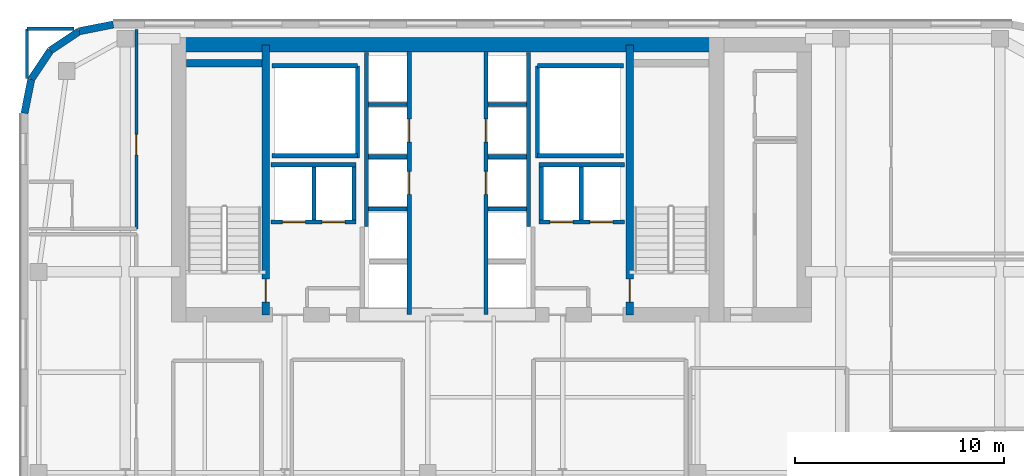
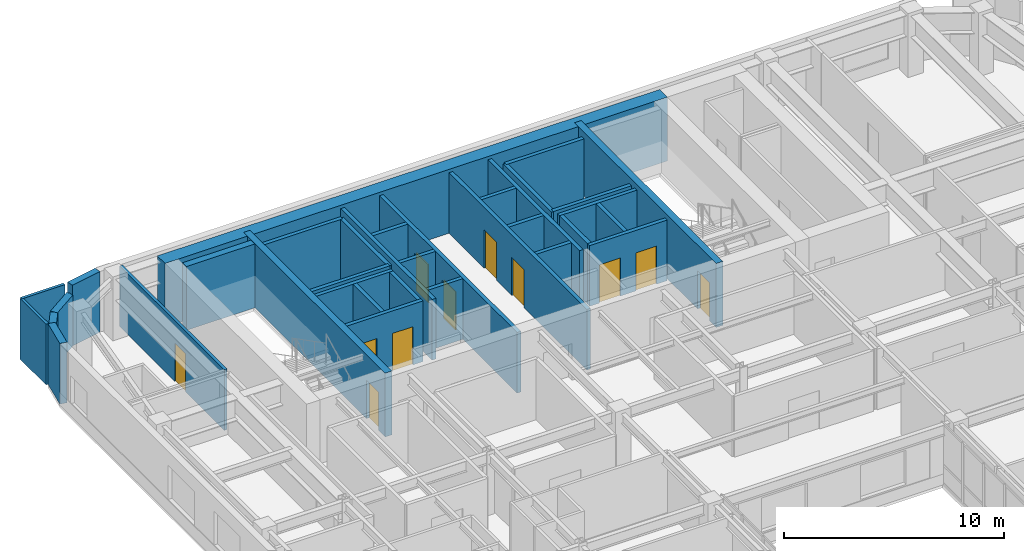
# One storey, part 13 of 20: 35 walls, 11 doors, 11 openings.
"""IFC4 building model written with IfcOpenShell, lengths in metres."""

from ifc_helpers import new_model, si_unit, direction, frame, frame_2d, origin, place, context, subcontext, project, spatial, rectangle, extrude, source, transform, mapped, material, layer, layer_set, type_object, type_shapes, element, fill, save


model = new_model("IFC4")

# Units and contexts
model_context = context("Model", 3, precision=1e-05, world=origin(), true_north=direction((0.0, 1.0)))
body_context = subcontext(model_context, "Body", "Model", "MODEL_VIEW")
ifc_project = project(units=[si_unit("LENGTHUNIT", "METRE"), si_unit("AREAUNIT", "SQUARE_METRE"), si_unit("VOLUMEUNIT", "CUBIC_METRE"), si_unit("PLANEANGLEUNIT", "RADIAN"), si_unit("MASSUNIT", "GRAM", prefix="KILO")], contexts=[model_context])

# Site, building, storey
site_placement = place(None, origin())
site = spatial("IfcSite", under=ifc_project, at=site_placement, CompositionType="ELEMENT")
building_placement = place(site_placement, origin())
building = spatial("IfcBuilding", under=site, at=building_placement, Name="Tolvann Quenvar Hotel", CompositionType="ELEMENT")
storey_placement = place(building_placement, frame((0.0, 0.0, 191.10009765625)))
storey = spatial("IfcBuildingStorey", under=building, at=storey_placement, Name="L50", CompositionType="ELEMENT", Elevation=191.10009765625)

# Wall
ifc_material_1 = material(Name="Concrete S65 (65 MPa)", Category="concrete")
ifc_layer_1 = layer(ifc_material_1, 0.699951171875)
ifc_layer_set_1 = layer_set([ifc_layer_1], Name="Concrete S65 (65 MPa)")
wall_type_1 = type_object("IfcWallType", Name="WALL_CORE_700", PredefinedType="SHEAR", material=ifc_layer_set_1)
wall_1_placement = place(storey_placement, frame((9.800048828125, 44.85009765625, 0.0), z_axis=(0.0, 0.0, 1.0), x_axis=(1.0, 0.0, 0.0)))
element("IfcWall", 1, at=wall_1_placement, inside=storey, type_object=wall_type_1, Name="Rear Core N Shear Wall (L50)", PredefinedType="SHEAR", context=body_context, shape_type="SweptSolid", body=[
    extrude(rectangle(XDim=26.39990234375, YDim=0.699951171875, at=frame_2d((13.199951171875, 0.0))), origin(), (0.0, 0.0, 1.0), 3.5498046875),
])

# Wall, opening, door
ifc_layer_2 = layer(ifc_material_1, 0.35009765625)
ifc_layer_set_2 = layer_set([ifc_layer_2], Name="Concrete S65 (65 MPa)")
wall_type_2 = type_object("IfcWallType", Name="WALL_CORE_INT_350", PredefinedType="SHEAR", material=ifc_layer_set_2)
wall_2_placement = place(storey_placement, frame((14.300048828125, 31.949951171875, 0.0), z_axis=(0.0, 0.0, 1.0), x_axis=(0.0, 1.0, 0.0)))
wall_2 = element("IfcWall", 2, at=wall_2_placement, inside=storey, type_object=wall_type_2, Name="Core Internal Web Shear Wall WEB-W (L50)", PredefinedType="SHEAR", context=body_context, shape_type="SweptSolid", body=[
    extrude(rectangle(XDim=12.900146484375, YDim=0.35009765625, at=frame_2d((6.4501953125, 0.0))), origin(), (0.0, 0.0, 1.0), 3.5498046875),
])
opening_1_placement = place(wall_2_placement, frame((0.60009765625, 0.0, 0.0)))
opening_1 = element("IfcOpeningElement", 3, at=opening_1_placement, cuts=wall_2, Name="Opening FD-120", PredefinedType="OPENING", context=body_context, shape_type="SweptSolid", body=[
    extrude(rectangle(XDim=1.10009765625, YDim=2.1201171875, at=frame_2d((0.550048828125, 1.06005859375))), frame((0.0, 0.18505859375, 0.0), z_axis=(0.0, -1.0, 0.0), x_axis=(1.0, 0.0, 0.0)), (0.0, 0.0, 1.0), 0.3701171875),
])
ifc_material_2 = material(Name="Pressed galvanised steel fire-rated door set", Category="steel")
door_type_1 = type_object("IfcDoorType", Name="DOOR_FIRE_STAIR_1100", OperationType="NOTDEFINED", PredefinedType="DOOR", material=ifc_material_2)
shared_shape_1 = source(origin(), body_context, "Body", "SweptSolid", [
    extrude(rectangle(XDim=1.10009765625, YDim=2.1201171875, at=frame_2d((0.550048828125, 1.06005859375))), frame((0.0, 0.02490234375, 0.0), z_axis=(0.0, -1.0, 0.0), x_axis=(1.0, 0.0, 0.0)), (0.0, 0.0, 1.0), 0.050048828125),
])
type_shapes(door_type_1, [shared_shape_1])
door_1_placement = place(opening_1_placement, origin())
door_1 = element("IfcDoor", 4, at=door_1_placement, inside=storey, type_object=door_type_1, Name="Exit Stair ST-C1 Fire Door (L50)", OperationType="SINGLE_SWING_RIGHT", OverallHeight=2.1201171875, OverallWidth=1.10009765625, PredefinedType="DOOR", context=body_context, shape_type="MappedRepresentation", body=[
    mapped(shared_shape_1, transform((0.0, 0.0, 0.0), x_axis=(1.0, 0.0, 0.0), y_axis=(0.0, 1.0, 0.0), z_axis=(0.0, 0.0, 1.0), scale=1.0)),
])
fill(opening_1, door_1)

wall_3_placement = place(storey_placement, frame((31.699951171875, 31.949951171875, 0.0), z_axis=(0.0, 0.0, 1.0), x_axis=(0.0, 1.0, 0.0)))
wall_3 = element("IfcWall", 5, at=wall_3_placement, inside=storey, type_object=wall_type_2, Name="Core Internal Web Shear Wall WEB-E (L50)", PredefinedType="SHEAR", context=body_context, shape_type="SweptSolid", body=[
    extrude(rectangle(XDim=12.900146484375, YDim=0.35009765625, at=frame_2d((6.4501953125, 0.0))), origin(), (0.0, 0.0, 1.0), 3.5498046875),
])
opening_2_placement = place(wall_3_placement, frame((1.7001953125, 0.0, 0.0), z_axis=(0.0, 0.0, 1.0), x_axis=(-1.0, 0.0, 0.0)))
opening_2 = element("IfcOpeningElement", 6, at=opening_2_placement, cuts=wall_3, Name="Opening FD-120", PredefinedType="OPENING", context=body_context, shape_type="SweptSolid", body=[
    extrude(rectangle(XDim=1.10009765625, YDim=2.1201171875, at=frame_2d((0.550048828125, 1.06005859375))), frame((0.0, 0.18505859375, 0.0), z_axis=(0.0, -1.0, 0.0), x_axis=(1.0, 0.0, 0.0)), (0.0, 0.0, 1.0), 0.3701171875),
])
door_2_placement = place(opening_2_placement, origin())
door_2 = element("IfcDoor", 7, at=door_2_placement, inside=storey, type_object=door_type_1, Name="Exit Stair ST-C2 Fire Door (L50)", OperationType="SINGLE_SWING_LEFT", OverallHeight=2.1201171875, OverallWidth=1.10009765625, PredefinedType="DOOR", context=body_context, shape_type="MappedRepresentation", body=[
    mapped(shared_shape_1, transform((0.0, 0.0, 0.0), x_axis=(1.0, 0.0, 0.0), y_axis=(0.0, 1.0, 0.0), z_axis=(0.0, 0.0, 1.0), scale=1.0)),
])
fill(opening_2, door_2)

# Walls
wall_4_placement = place(storey_placement, frame((10.52001953125, 43.97509765625, 0.0), z_axis=(0.0, 0.0, 1.0), x_axis=(1.0, 0.0, 0.0)))
element("IfcWall", 8, at=wall_4_placement, inside=storey, type_object=wall_type_2, Name="Core Stair North Closing Shear Wall STC1-N (L50)", PredefinedType="SHEAR", context=body_context, shape_type="SweptSolid", body=[
    extrude(rectangle(XDim=3.60009765625, YDim=0.35009765625, at=frame_2d((1.800048828125, 0.0))), origin(), (0.0, 0.0, 1.0), 3.5498046875),
])
ifc_material_3 = material(Name="Kiln-fired red and buff architectural clay brickwork and terracotta masonry", Category="masonry")
ifc_layer_3 = layer(ifc_material_3, 0.35009765625)
ifc_layer_set_3 = layer_set([ifc_layer_3], Name="Kiln-fired red and buff architectural clay brickwork and terracotta masonry")
wall_type_3 = type_object("IfcWallType", Name="WALL_EXT_BRICK_350", PredefinedType="SOLIDWALL", material=ifc_layer_set_3)
wall_5_placement = place(storey_placement, frame((7.01708984375, 45.824951171875, 0.0), z_axis=(0.0, 0.0, 1.0), x_axis=(-0.980788844421, -0.195072403631, 0.0)))
element("IfcWall", 9, at=wall_5_placement, inside=storey, type_object=wall_type_3, Name="Exterior Chicago Brick Wall L50-E19", PredefinedType="SOLIDWALL", context=body_context, shape_type="SweptSolid", body=[
    extrude(rectangle(XDim=1.66455078125, YDim=0.35009765625, at=frame_2d((0.832275390625, 0.0))), origin(), (0.0, 0.0, 1.0), 3.369873046875),
])
for number, where, z_axis, x_axis, name in (
    (10, (5.384521484375, 45.500244140625, 0.0), (0.0, 0.0, 1.0), (-0.831502623162, -0.555520825599, 0.0), "Exterior Chicago Brick Wall L50-E20"),
    (11, (4.014892578125, 44.585205078125, 0.0), (0.0, 0.0, 1.0), (-0.555623290322, -0.831434158098, 0.0), "Exterior Chicago Brick Wall L50-E21"),
):
    element("IfcWall", number, at=place(storey_placement, frame(where, z_axis=z_axis, x_axis=x_axis)), inside=storey, type_object=wall_type_3, Name=name, PredefinedType="SOLIDWALL", context=body_context, shape_type="SweptSolid", body=[
        extrude(rectangle(XDim=1.647216796875, YDim=0.35009765625, at=frame_2d((0.82373046875, 0.0))), origin(), (0.0, 0.0, 1.0), 2.831787109375),
    ])
wall_6_placement = place(storey_placement, frame((3.099609375, 43.215576171875, 0.0), z_axis=(0.0, 0.0, 1.0), x_axis=(-0.195044345786, -0.980794424524, 0.0)))
element("IfcWall", 12, at=wall_6_placement, inside=storey, type_object=wall_type_3, Name="Exterior Chicago Brick Wall L50-E22", PredefinedType="SOLIDWALL", context=body_context, shape_type="SweptSolid", body=[
    extrude(rectangle(XDim=1.664794921875, YDim=0.35009765625, at=frame_2d((0.83251953125, 0.0))), origin(), (0.0, 0.0, 1.0), 3.369873046875),
])

# Wall, opening, door
ifc_material_4 = material(Name="Acoustic twin-stud fire-rated gypsum plasterboard partition")
ifc_layer_4 = layer(ifc_material_4, 0.14990234375)
ifc_layer_set_4 = layer_set([ifc_layer_4], Name="Acoustic twin-stud fire-rated gypsum plasterboard partition")
wall_type_4 = type_object("IfcWallType", Name="WALL_PART_SUITE_150", PredefinedType="PARTITIONING", material=ifc_layer_set_4)
wall_7_placement = place(storey_placement, frame((8.1201171875, 36.06005859375, 0.0), z_axis=(0.0, 0.0, 1.0), x_axis=(0.0, 1.0, 0.0)))
wall_7 = element("IfcWall", 13, at=wall_7_placement, inside=storey, type_object=wall_type_4, Name="Interior Partition PT-SPC-L50-RM-NW01-ENT", PredefinedType="PARTITIONING", context=body_context, shape_type="SweptSolid", body=[
    extrude(rectangle(XDim=9.534912109375, YDim=0.14990234375, at=frame_2d((4.767578125, 0.0))), origin(), (0.0, 0.0, 1.0), 3.369873046875),
])
opening_3_placement = place(wall_7_placement, frame((3.530029296875, 0.0, 0.0)))
opening_3 = element("IfcOpeningElement", 14, at=opening_3_placement, cuts=wall_7, Name="Opening SD-01", PredefinedType="OPENING", context=body_context, shape_type="SweptSolid", body=[
    extrude(rectangle(XDim=0.97998046875, YDim=2.1201171875, at=frame_2d((0.489990234375, 1.06005859375))), frame((0.0, 0.0849609375, 0.0), z_axis=(0.0, -1.0, 0.0), x_axis=(1.0, 0.0, 0.0)), (0.0, 0.0, 1.0), 0.169921875),
])
ifc_material_5 = material(Name="Solid-core American oak acoustic fire door leaf in steel frame", Category="steel")
door_type_2 = type_object("IfcDoorType", Name="DOOR_SUITE_980", OperationType="NOTDEFINED", PredefinedType="DOOR", material=ifc_material_5)
shared_shape_2 = source(origin(), body_context, "Body", "SweptSolid", [
    extrude(rectangle(XDim=0.97998046875, YDim=2.1201171875, at=frame_2d((0.489990234375, 1.06005859375))), frame((0.0, 0.02490234375, 0.0), z_axis=(0.0, -1.0, 0.0), x_axis=(1.0, 0.0, 0.0)), (0.0, 0.0, 1.0), 0.050048828125),
])
type_shapes(door_type_2, [shared_shape_2])
door_3_placement = place(opening_3_placement, origin())
door_3 = element("IfcDoor", 15, at=door_3_placement, inside=storey, type_object=door_type_2, Name="Interior Door DOOR-SPC-L50-RM-NW01", OperationType="SINGLE_SWING_LEFT", OverallHeight=2.1201171875, OverallWidth=0.97998046875, PredefinedType="DOOR", context=body_context, shape_type="MappedRepresentation", body=[
    mapped(shared_shape_2, transform((0.0, 0.0, 0.0), x_axis=(1.0, 0.0, 0.0), y_axis=(0.0, 1.0, 0.0), z_axis=(0.0, 0.0, 1.0), scale=1.0)),
])
fill(opening_3, door_3)

# Walls
wall_8_placement = place(storey_placement, frame((2.89990234375, 45.6201171875, 0.0), z_axis=(0.0, 0.0, 1.0), x_axis=(1.0, 0.0, 0.0)))
element("IfcWall", 16, at=wall_8_placement, inside=storey, type_object=wall_type_4, Name="Interior Partition PT-SPC-L50-RM-NW01-E5", PredefinedType="PARTITIONING", context=body_context, shape_type="SweptSolid", body=[
    extrude(rectangle(XDim=2.25, YDim=0.14990234375, at=frame_2d((1.125, 0.0))), origin(), (0.0, 0.0, 1.0), 3.369873046875),
])
wall_9_placement = place(storey_placement, frame((2.89990234375, 43.2548828125, 0.0), z_axis=(0.0, 0.0, 1.0), x_axis=(0.0, 1.0, 0.0)))
element("IfcWall", 17, at=wall_9_placement, inside=storey, type_object=wall_type_4, Name="Interior Partition PT-SPC-L50-RM-NW01-E6", PredefinedType="PARTITIONING", context=body_context, shape_type="SweptSolid", body=[
    extrude(rectangle(XDim=2.365234375, YDim=0.14990234375, at=frame_2d((1.1826171875, 0.0))), origin(), (0.0, 0.0, 1.0), 3.369873046875),
])
ifc_material_6 = material(Name="Concrete N40 (40 MPa)", Category="concrete")
ifc_layer_5 = layer(ifc_material_6, 0.199951171875)
ifc_layer_set_5 = layer_set([ifc_layer_5], Name="Concrete N40 (40 MPa)")
wall_type_5 = type_object("IfcWallType", Name="WALL_SHAFT_200", PredefinedType="SOLIDWALL", material=ifc_layer_set_5)
wall_10_placement = place(storey_placement, frame((18.699951171875, 39.449951171875, 0.0), z_axis=(0.0, 0.0, 1.0), x_axis=(0.0, 1.0, 0.0)))
element("IfcWall", 18, at=wall_10_placement, inside=storey, type_object=wall_type_5, Name="Service Riser W Shaft Wall IN (L50)", PredefinedType="SOLIDWALL", context=body_context, shape_type="SweptSolid", body=[
    extrude(rectangle(XDim=4.400146484375, YDim=0.199951171875, at=frame_2d((2.2001953125, 0.0))), origin(), (0.0, 0.0, 1.0), 3.369873046875),
])
for number, where, z_axis, x_axis, name in (
    (19, (14.60009765625, 39.550048828125, 0.0), (0.0, 0.0, 1.0), (1.0, 0.0, 0.0), "Service Riser W Shaft Wall S (L50)"),
    (20, (14.60009765625, 43.85009765625, 0.0), (0.0, 0.0, 1.0), (1.0, 0.0, 0.0), "Service Riser W Shaft Wall N (L50)"),
):
    element("IfcWall", number, at=place(storey_placement, frame(where, z_axis=z_axis, x_axis=x_axis)), inside=storey, type_object=wall_type_5, Name=name, PredefinedType="SOLIDWALL", context=body_context, shape_type="SweptSolid", body=[
        extrude(rectangle(XDim=4.099853515625, YDim=0.199951171875, at=frame_2d((2.0498046875, 0.0))), origin(), (0.0, 0.0, 1.0), 3.369873046875),
    ])
wall_11_placement = place(storey_placement, frame((27.300048828125, 39.449951171875, 0.0), z_axis=(0.0, 0.0, 1.0), x_axis=(0.0, 1.0, 0.0)))
element("IfcWall", 21, at=wall_11_placement, inside=storey, type_object=wall_type_5, Name="Service Riser E Shaft Wall IN (L50)", PredefinedType="SOLIDWALL", context=body_context, shape_type="SweptSolid", body=[
    extrude(rectangle(XDim=4.400146484375, YDim=0.199951171875, at=frame_2d((2.2001953125, 0.0))), origin(), (0.0, 0.0, 1.0), 3.369873046875),
])
for number, where, z_axis, x_axis, name in (
    (22, (27.300048828125, 39.550048828125, 0.0), (0.0, 0.0, 1.0), (1.0, 0.0, 0.0), "Service Riser E Shaft Wall S (L50)"),
    (23, (27.300048828125, 43.85009765625, 0.0), (0.0, 0.0, 1.0), (1.0, 0.0, 0.0), "Service Riser E Shaft Wall N (L50)"),
):
    element("IfcWall", number, at=place(storey_placement, frame(where, z_axis=z_axis, x_axis=x_axis)), inside=storey, type_object=wall_type_5, Name=name, PredefinedType="SOLIDWALL", context=body_context, shape_type="SweptSolid", body=[
        extrude(rectangle(XDim=4.099853515625, YDim=0.199951171875, at=frame_2d((2.0498046875, 0.0))), origin(), (0.0, 0.0, 1.0), 3.369873046875),
    ])

# Wall, openings, doors
wall_12_placement = place(storey_placement, frame((21.169921875, 31.9599609375, 0.0), z_axis=(0.0, 0.0, 1.0), x_axis=(0.0, 1.0, 0.0)))
wall_12 = element("IfcWall", 24, at=wall_12_placement, inside=storey, type_object=wall_type_5, Name="Lift Bank E21.1C1 Hoistway Front Wall (L50)", PredefinedType="SOLIDWALL", context=body_context, shape_type="SweptSolid", body=[
    extrude(rectangle(XDim=12.580078125, YDim=0.199951171875, at=frame_2d((6.2900390625, 0.0))), origin(), (0.0, 0.0, 1.0), 3.369873046875),
])
opening_4_placement = place(wall_12_placement, frame((5.739990234375, 0.0, 0.0)))
opening_4 = element("IfcOpeningElement", 25, at=opening_4_placement, cuts=wall_12, Name="Opening LD-01", PredefinedType="OPENING", context=body_context, shape_type="SweptSolid", body=[
    extrude(rectangle(XDim=1.10009765625, YDim=2.1201171875, at=frame_2d((0.550048828125, 1.06005859375))), frame((0.0, 0.10986328125, 0.0), z_axis=(0.0, -1.0, 0.0), x_axis=(1.0, 0.0, 0.0)), (0.0, 0.0, 1.0), 0.219970703125),
])
opening_5_placement = place(wall_12_placement, frame((8.239990234375, 0.0, 0.0)))
opening_5 = element("IfcOpeningElement", 26, at=opening_5_placement, cuts=wall_12, Name="Opening LD-01", PredefinedType="OPENING", context=body_context, shape_type="SweptSolid", body=[
    extrude(rectangle(XDim=1.10009765625, YDim=2.1201171875, at=frame_2d((0.550048828125, 1.06005859375))), frame((0.0, 0.10986328125, 0.0), z_axis=(0.0, -1.0, 0.0), x_axis=(1.0, 0.0, 0.0)), (0.0, 0.0, 1.0), 0.219970703125),
])
ifc_material_7 = material(Name="Brushed 316 stainless steel automatic sliding lift landing door", Category="steel")
door_type_3 = type_object("IfcDoorType", Name="DOOR_LIFT_SLIDE_1100", OperationType="NOTDEFINED", PredefinedType="DOOR", material=ifc_material_7)
shared_shape_3 = source(origin(), body_context, "Body", "SweptSolid", [
    extrude(rectangle(XDim=1.10009765625, YDim=2.1201171875, at=frame_2d((0.550048828125, 1.06005859375))), frame((0.0, 0.02490234375, 0.0), z_axis=(0.0, -1.0, 0.0), x_axis=(1.0, 0.0, 0.0)), (0.0, 0.0, 1.0), 0.050048828125),
])
type_shapes(door_type_3, [shared_shape_3])
door_4_placement = place(opening_4_placement, origin())
door_4 = element("IfcDoor", 27, at=door_4_placement, inside=storey, type_object=door_type_3, Name="Lift PM-1 Sliding Landing Door (L50)", OperationType="SLIDING_TO_RIGHT", OverallHeight=2.1201171875, OverallWidth=1.10009765625, PredefinedType="DOOR", context=body_context, shape_type="MappedRepresentation", body=[
    mapped(shared_shape_3, transform((0.0, 0.0, 0.0), x_axis=(1.0, 0.0, 0.0), y_axis=(0.0, 1.0, 0.0), z_axis=(0.0, 0.0, 1.0), scale=1.0)),
])
fill(opening_4, door_4)
door_5_placement = place(opening_5_placement, origin())
door_5 = element("IfcDoor", 28, at=door_5_placement, inside=storey, type_object=door_type_3, Name="Lift PM-2 Sliding Landing Door (L50)", OperationType="SLIDING_TO_LEFT", OverallHeight=2.1201171875, OverallWidth=1.10009765625, PredefinedType="DOOR", context=body_context, shape_type="MappedRepresentation", body=[
    mapped(shared_shape_3, transform((0.0, 0.0, 0.0), x_axis=(1.0, 0.0, 0.0), y_axis=(0.0, 1.0, 0.0), z_axis=(0.0, 0.0, 1.0), scale=1.0)),
])
fill(opening_5, door_5)

# Walls
wall_13_placement = place(storey_placement, frame((19.1298828125, 36.159912109375, 0.0), z_axis=(0.0, 0.0, 1.0), x_axis=(0.0, 1.0, 0.0)))
element("IfcWall", 29, at=wall_13_placement, inside=storey, type_object=wall_type_5, Name="Lift Bank E21.1C1 Hoistway Rear Wall (L50)", PredefinedType="SOLIDWALL", context=body_context, shape_type="SweptSolid", body=[
    extrude(rectangle(XDim=8.336181640625, YDim=0.199951171875, at=frame_2d((4.16796875, 0.0))), origin(), (0.0, 0.0, 1.0), 3.369873046875),
])
for number, where, z_axis, x_axis, name in (
    (30, (19.22998046875, 37.0, 0.0), (0.0, 0.0, 1.0), (1.0, 0.0, 0.0), "Lift Bank E21.1C1 Divider Wall 2 (L50)"),
    (31, (19.22998046875, 39.5, 0.0), (0.0, 0.0, 1.0), (1.0, 0.0, 0.0), "Lift Bank E21.1C1 Divider Wall 3 (L50)"),
    (32, (19.22998046875, 42.0, 0.0), (0.0, 0.0, 1.0), (1.0, 0.0, 0.0), "Lift Bank E21.1C1 Divider Wall 4 (L50)"),
):
    element("IfcWall", number, at=place(storey_placement, frame(where, z_axis=z_axis, x_axis=x_axis)), inside=storey, type_object=wall_type_5, Name=name, PredefinedType="SOLIDWALL", context=body_context, shape_type="SweptSolid", body=[
        extrude(rectangle(XDim=1.840087890625, YDim=0.199951171875, at=frame_2d((0.919921875, 0.0))), origin(), (0.0, 0.0, 1.0), 3.369873046875),
    ])

# Wall, openings, doors
wall_14_placement = place(storey_placement, frame((27.375, 36.3798828125, 0.0), z_axis=(0.0, 0.0, 1.0), x_axis=(1.0, 0.0, 0.0)))
wall_14 = element("IfcWall", 33, at=wall_14_placement, inside=storey, type_object=wall_type_5, Name="Lift Bank SEC1 Hoistway Front Wall (L50)", PredefinedType="SOLIDWALL", context=body_context, shape_type="SweptSolid", body=[
    extrude(rectangle(XDim=4.074951171875, YDim=0.199951171875, at=frame_2d((2.03759765625, 0.0))), origin(), (0.0, 0.0, 1.0), 3.369873046875),
])
opening_6_placement = place(wall_14_placement, frame((0.52490234375, 0.0, 0.0)))
opening_6 = element("IfcOpeningElement", 34, at=opening_6_placement, cuts=wall_14, Name="Opening LD-01", PredefinedType="OPENING", context=body_context, shape_type="SweptSolid", body=[
    extrude(rectangle(XDim=1.10009765625, YDim=2.1201171875, at=frame_2d((0.550048828125, 1.06005859375))), frame((0.0, 0.10986328125, 0.0), z_axis=(0.0, -1.0, 0.0), x_axis=(1.0, 0.0, 0.0)), (0.0, 0.0, 1.0), 0.219970703125),
])
opening_7_placement = place(wall_14_placement, frame((2.425048828125, 0.0, 0.0)))
opening_7 = element("IfcOpeningElement", 35, at=opening_7_placement, cuts=wall_14, Name="Opening LD-01", PredefinedType="OPENING", context=body_context, shape_type="SweptSolid", body=[
    extrude(rectangle(XDim=1.10009765625, YDim=2.1201171875, at=frame_2d((0.550048828125, 1.06005859375))), frame((0.0, 0.10986328125, 0.0), z_axis=(0.0, -1.0, 0.0), x_axis=(1.0, 0.0, 0.0)), (0.0, 0.0, 1.0), 0.219970703125),
])
door_6_placement = place(opening_6_placement, origin())
door_6 = element("IfcDoor", 36, at=door_6_placement, inside=storey, type_object=door_type_3, Name="Lift SV-2 Sliding Landing Door (L50)", OperationType="SLIDING_TO_LEFT", OverallHeight=2.1201171875, OverallWidth=1.10009765625, PredefinedType="DOOR", context=body_context, shape_type="MappedRepresentation", body=[
    mapped(shared_shape_3, transform((0.0, 0.0, 0.0), x_axis=(1.0, 0.0, 0.0), y_axis=(0.0, 1.0, 0.0), z_axis=(0.0, 0.0, 1.0), scale=1.0)),
])
fill(opening_6, door_6)
door_7_placement = place(opening_7_placement, origin())
door_7 = element("IfcDoor", 37, at=door_7_placement, inside=storey, type_object=door_type_3, Name="Lift FF-2 Sliding Landing Door (L50)", OperationType="SLIDING_TO_RIGHT", OverallHeight=2.1201171875, OverallWidth=1.10009765625, PredefinedType="DOOR", context=body_context, shape_type="MappedRepresentation", body=[
    mapped(shared_shape_3, transform((0.0, 0.0, 0.0), x_axis=(1.0, 0.0, 0.0), y_axis=(0.0, 1.0, 0.0), z_axis=(0.0, 0.0, 1.0), scale=1.0)),
])
fill(opening_7, door_7)

# Walls
wall_15_placement = place(storey_placement, frame((27.375, 39.1201171875, 0.0), z_axis=(0.0, 0.0, 1.0), x_axis=(1.0, 0.0, 0.0)))
element("IfcWall", 38, at=wall_15_placement, inside=storey, type_object=wall_type_5, Name="Lift Bank SEC1 Hoistway Rear Wall (L50)", PredefinedType="SOLIDWALL", context=body_context, shape_type="SweptSolid", body=[
    extrude(rectangle(XDim=4.074951171875, YDim=0.199951171875, at=frame_2d((2.03759765625, 0.0))), origin(), (0.0, 0.0, 1.0), 3.369873046875),
])
for number, where, z_axis, x_axis, name in (
    (39, (27.47509765625, 36.47998046875, 0.0), (0.0, 0.0, 1.0), (0.0, 1.0, 0.0), "Lift Bank SEC1 Hoistway Cheek Wall 1 (L50)"),
    (40, (29.387451171875, 36.47998046875, 0.0), (0.0, 0.0, 1.0), (0.0, 1.0, 0.0), "Lift Bank SEC1 Divider Wall 1 (L50)"),
):
    element("IfcWall", number, at=place(storey_placement, frame(where, z_axis=z_axis, x_axis=x_axis)), inside=storey, type_object=wall_type_5, Name=name, PredefinedType="SOLIDWALL", context=body_context, shape_type="SweptSolid", body=[
        extrude(rectangle(XDim=2.5400390625, YDim=0.199951171875, at=frame_2d((1.27001953125, 0.0))), origin(), (0.0, 0.0, 1.0), 3.369873046875),
    ])

# Wall, openings, doors
wall_16_placement = place(storey_placement, frame((14.550048828125, 36.3798828125, 0.0), z_axis=(0.0, 0.0, 1.0), x_axis=(1.0, 0.0, 0.0)))
wall_16 = element("IfcWall", 41, at=wall_16_placement, inside=storey, type_object=wall_type_5, Name="Lift Bank SWC1 Hoistway Front Wall (L50)", PredefinedType="SOLIDWALL", context=body_context, shape_type="SweptSolid", body=[
    extrude(rectangle(XDim=4.074951171875, YDim=0.199951171875, at=frame_2d((2.03759765625, 0.0))), origin(), (0.0, 0.0, 1.0), 3.369873046875),
])
opening_8_placement = place(wall_16_placement, frame((0.550048828125, 0.0, 0.0)))
opening_8 = element("IfcOpeningElement", 42, at=opening_8_placement, cuts=wall_16, Name="Opening LD-01", PredefinedType="OPENING", context=body_context, shape_type="SweptSolid", body=[
    extrude(rectangle(XDim=1.10009765625, YDim=2.1201171875, at=frame_2d((0.550048828125, 1.06005859375))), frame((0.0, 0.10986328125, 0.0), z_axis=(0.0, -1.0, 0.0), x_axis=(1.0, 0.0, 0.0)), (0.0, 0.0, 1.0), 0.219970703125),
])
opening_9_placement = place(wall_16_placement, frame((2.449951171875, 0.0, 0.0)))
opening_9 = element("IfcOpeningElement", 43, at=opening_9_placement, cuts=wall_16, Name="Opening LD-01", PredefinedType="OPENING", context=body_context, shape_type="SweptSolid", body=[
    extrude(rectangle(XDim=1.10009765625, YDim=2.1201171875, at=frame_2d((0.550048828125, 1.06005859375))), frame((0.0, 0.10986328125, 0.0), z_axis=(0.0, -1.0, 0.0), x_axis=(1.0, 0.0, 0.0)), (0.0, 0.0, 1.0), 0.219970703125),
])
door_8_placement = place(opening_8_placement, origin())
door_8 = element("IfcDoor", 44, at=door_8_placement, inside=storey, type_object=door_type_3, Name="Lift FF-1 Sliding Landing Door (L50)", OperationType="SLIDING_TO_LEFT", OverallHeight=2.1201171875, OverallWidth=1.10009765625, PredefinedType="DOOR", context=body_context, shape_type="MappedRepresentation", body=[
    mapped(shared_shape_3, transform((0.0, 0.0, 0.0), x_axis=(1.0, 0.0, 0.0), y_axis=(0.0, 1.0, 0.0), z_axis=(0.0, 0.0, 1.0), scale=1.0)),
])
fill(opening_8, door_8)
door_9_placement = place(opening_9_placement, origin())
door_9 = element("IfcDoor", 45, at=door_9_placement, inside=storey, type_object=door_type_3, Name="Lift SV-1 Sliding Landing Door (L50)", OperationType="SLIDING_TO_RIGHT", OverallHeight=2.1201171875, OverallWidth=1.10009765625, PredefinedType="DOOR", context=body_context, shape_type="MappedRepresentation", body=[
    mapped(shared_shape_3, transform((0.0, 0.0, 0.0), x_axis=(1.0, 0.0, 0.0), y_axis=(0.0, 1.0, 0.0), z_axis=(0.0, 0.0, 1.0), scale=1.0)),
])
fill(opening_9, door_9)

# Walls
wall_17_placement = place(storey_placement, frame((14.550048828125, 39.1201171875, 0.0), z_axis=(0.0, 0.0, 1.0), x_axis=(1.0, 0.0, 0.0)))
element("IfcWall", 46, at=wall_17_placement, inside=storey, type_object=wall_type_5, Name="Lift Bank SWC1 Hoistway Rear Wall (L50)", PredefinedType="SOLIDWALL", context=body_context, shape_type="SweptSolid", body=[
    extrude(rectangle(XDim=4.074951171875, YDim=0.199951171875, at=frame_2d((2.03759765625, 0.0))), origin(), (0.0, 0.0, 1.0), 3.369873046875),
])
for number, where, z_axis, x_axis, name in (
    (47, (18.52490234375, 36.47998046875, 0.0), (0.0, 0.0, 1.0), (0.0, 1.0, 0.0), "Lift Bank SWC1 Hoistway Cheek Wall 2 (L50)"),
    (48, (16.612548828125, 36.47998046875, 0.0), (0.0, 0.0, 1.0), (0.0, 1.0, 0.0), "Lift Bank SWC1 Divider Wall 1 (L50)"),
):
    element("IfcWall", number, at=place(storey_placement, frame(where, z_axis=z_axis, x_axis=x_axis)), inside=storey, type_object=wall_type_5, Name=name, PredefinedType="SOLIDWALL", context=body_context, shape_type="SweptSolid", body=[
        extrude(rectangle(XDim=2.5400390625, YDim=0.199951171875, at=frame_2d((1.27001953125, 0.0))), origin(), (0.0, 0.0, 1.0), 3.369873046875),
    ])

# Wall, openings, doors
wall_18_placement = place(storey_placement, frame((24.830078125, 31.9599609375, 0.0), z_axis=(0.0, 0.0, 1.0), x_axis=(0.0, 1.0, 0.0)))
wall_18 = element("IfcWall", 49, at=wall_18_placement, inside=storey, type_object=wall_type_5, Name="Lift Bank W24.9C1 Hoistway Front Wall (L50)", PredefinedType="SOLIDWALL", context=body_context, shape_type="SweptSolid", body=[
    extrude(rectangle(XDim=12.580078125, YDim=0.199951171875, at=frame_2d((6.2900390625, 0.0))), origin(), (0.0, 0.0, 1.0), 3.369873046875),
])
opening_10_placement = place(wall_18_placement, frame((5.739990234375, 0.0, 0.0)))
opening_10 = element("IfcOpeningElement", 50, at=opening_10_placement, cuts=wall_18, Name="Opening LD-01", PredefinedType="OPENING", context=body_context, shape_type="SweptSolid", body=[
    extrude(rectangle(XDim=1.10009765625, YDim=2.1201171875, at=frame_2d((0.550048828125, 1.06005859375))), frame((0.0, 0.10986328125, 0.0), z_axis=(0.0, -1.0, 0.0), x_axis=(1.0, 0.0, 0.0)), (0.0, 0.0, 1.0), 0.219970703125),
])
opening_11_placement = place(wall_18_placement, frame((8.239990234375, 0.0, 0.0)))
opening_11 = element("IfcOpeningElement", 51, at=opening_11_placement, cuts=wall_18, Name="Opening LD-01", PredefinedType="OPENING", context=body_context, shape_type="SweptSolid", body=[
    extrude(rectangle(XDim=1.10009765625, YDim=2.1201171875, at=frame_2d((0.550048828125, 1.06005859375))), frame((0.0, 0.10986328125, 0.0), z_axis=(0.0, -1.0, 0.0), x_axis=(1.0, 0.0, 0.0)), (0.0, 0.0, 1.0), 0.219970703125),
])
door_10_placement = place(opening_10_placement, origin())
door_10 = element("IfcDoor", 52, at=door_10_placement, inside=storey, type_object=door_type_3, Name="Lift PM-3 Sliding Landing Door (L50)", OperationType="SLIDING_TO_RIGHT", OverallHeight=2.1201171875, OverallWidth=1.10009765625, PredefinedType="DOOR", context=body_context, shape_type="MappedRepresentation", body=[
    mapped(shared_shape_3, transform((0.0, 0.0, 0.0), x_axis=(1.0, 0.0, 0.0), y_axis=(0.0, 1.0, 0.0), z_axis=(0.0, 0.0, 1.0), scale=1.0)),
])
fill(opening_10, door_10)
door_11_placement = place(opening_11_placement, origin())
door_11 = element("IfcDoor", 53, at=door_11_placement, inside=storey, type_object=door_type_3, Name="Lift PM-4 Sliding Landing Door (L50)", OperationType="SLIDING_TO_LEFT", OverallHeight=2.1201171875, OverallWidth=1.10009765625, PredefinedType="DOOR", context=body_context, shape_type="MappedRepresentation", body=[
    mapped(shared_shape_3, transform((0.0, 0.0, 0.0), x_axis=(1.0, 0.0, 0.0), y_axis=(0.0, 1.0, 0.0), z_axis=(0.0, 0.0, 1.0), scale=1.0)),
])
fill(opening_11, door_11)

# Walls
wall_19_placement = place(storey_placement, frame((26.8701171875, 36.159912109375, 0.0), z_axis=(0.0, 0.0, 1.0), x_axis=(0.0, 1.0, 0.0)))
element("IfcWall", 54, at=wall_19_placement, inside=storey, type_object=wall_type_5, Name="Lift Bank W24.9C1 Hoistway Rear Wall (L50)", PredefinedType="SOLIDWALL", context=body_context, shape_type="SweptSolid", body=[
    extrude(rectangle(XDim=8.336181640625, YDim=0.199951171875, at=frame_2d((4.16796875, 0.0))), origin(), (0.0, 0.0, 1.0), 3.369873046875),
])
for number, where, z_axis, x_axis, name in (
    (55, (24.929931640625, 37.0, 0.0), (0.0, 0.0, 1.0), (1.0, 0.0, 0.0), "Lift Bank W24.9C1 Divider Wall 2 (L50)"),
    (56, (24.929931640625, 39.5, 0.0), (0.0, 0.0, 1.0), (1.0, 0.0, 0.0), "Lift Bank W24.9C1 Divider Wall 3 (L50)"),
    (57, (24.929931640625, 42.0, 0.0), (0.0, 0.0, 1.0), (1.0, 0.0, 0.0), "Lift Bank W24.9C1 Divider Wall 4 (L50)"),
):
    element("IfcWall", number, at=place(storey_placement, frame(where, z_axis=z_axis, x_axis=x_axis)), inside=storey, type_object=wall_type_5, Name=name, PredefinedType="SOLIDWALL", context=body_context, shape_type="SweptSolid", body=[
        extrude(rectangle(XDim=1.840087890625, YDim=0.199951171875, at=frame_2d((0.919921875, 0.0))), origin(), (0.0, 0.0, 1.0), 3.369873046875),
    ])

save(model, "model.ifc")
